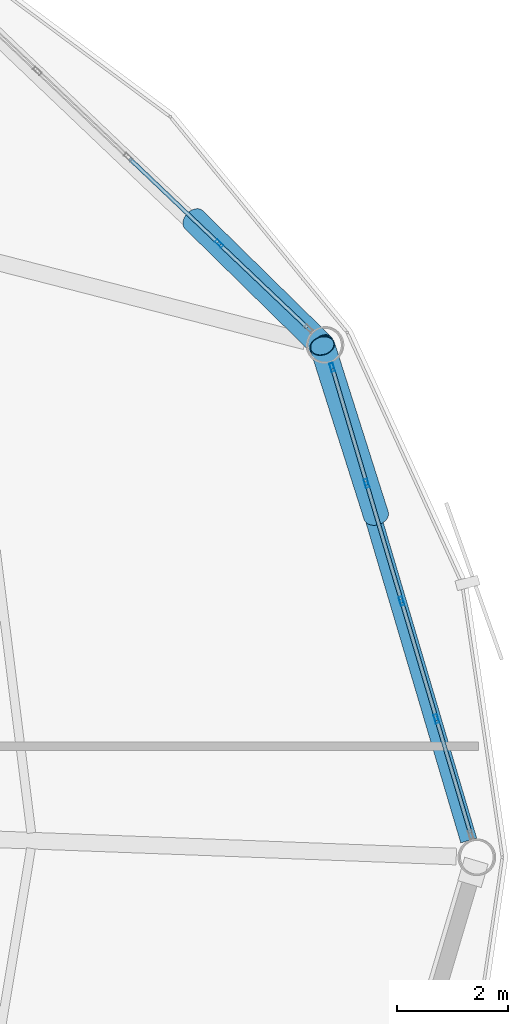
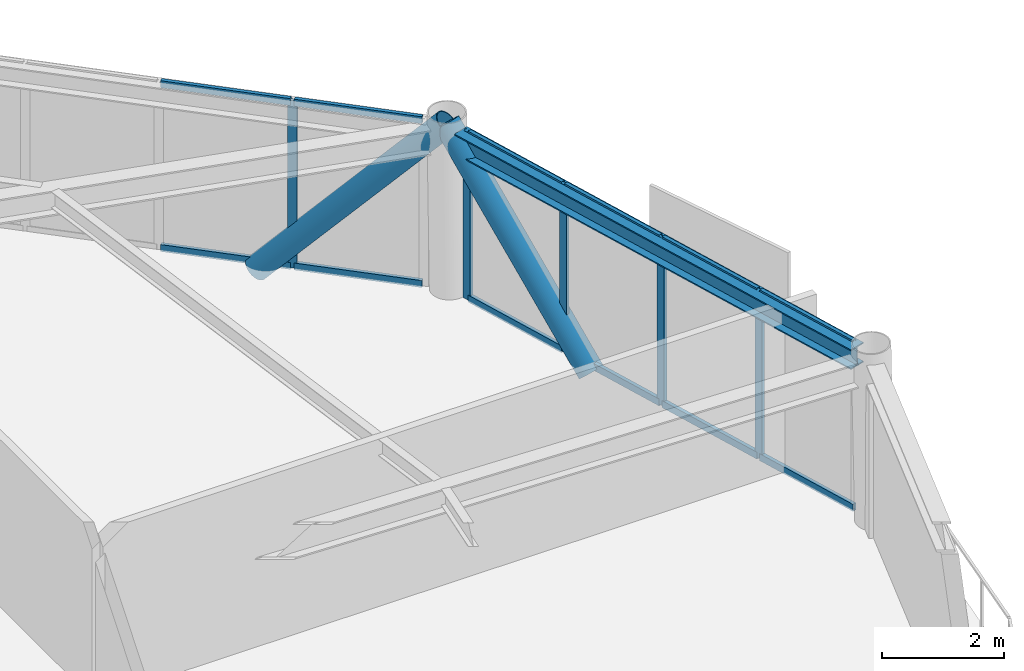
# One storey, part 17 of 29: 19 members, 1 beam, 2 elements without a shape of their own.
"""IFC4 building model written with IfcOpenShell, lengths in metres."""

from ifc_helpers import new_model, si_unit, direction, frame, origin, origin_2d, place, context, subcontext, project, spatial, hollow_rectangle, hollow_circle, i_section, extrude, material, layer, layer_set, material_profile, profile_set, type_object, element, aggregate, save


model = new_model("IFC4")

# Units and contexts
model_context = context("Model", 3, precision=1e-05, world=origin(), true_north=direction((0.0, 1.0)))
body_context = subcontext(model_context, "Body", "Model", "MODEL_VIEW")
ifc_project = project(units=[si_unit("LENGTHUNIT", "METRE"), si_unit("AREAUNIT", "SQUARE_METRE"), si_unit("VOLUMEUNIT", "CUBIC_METRE"), si_unit("PLANEANGLEUNIT", "RADIAN"), si_unit("MASSUNIT", "GRAM", prefix="KILO")], contexts=[model_context])

# Site, building, storey
site_placement = place(None, origin())
site = spatial("IfcSite", under=ifc_project, at=site_placement, CompositionType="ELEMENT")
building_placement = place(site_placement, origin())
building = spatial("IfcBuilding", under=site, at=building_placement, Name="Varnakorn Sky Granary", CompositionType="ELEMENT")
storey_placement = place(building_placement, frame((0.0, 0.0, 189.60009765625)))
storey = spatial("IfcBuildingStorey", under=building, at=storey_placement, Name="L47", CompositionType="ELEMENT", Elevation=189.60009765625)

# Beam
ifc_material_1 = material(Name="Steel S355JR", Category="steel")
ifc_material_profile_1 = material_profile(ifc_material_1, i_section(OverallWidth=0.300048828125, OverallDepth=0.39990234375, WebThickness=0.013427734375, FlangeThickness=0.02392578125, at=origin_2d()), Name="HE 400 B")
ifc_profile_set_1 = profile_set([ifc_material_profile_1], Name="Steel S355JR")
beam_type = type_object("IfcBeamType", Name="BM-SPD-Z4", PredefinedType="SPANDREL", material=ifc_profile_set_1)
beam_placement = place(storey_placement, frame((24.271484375, 0.302001953125, 3.159912109375), z_axis=(-0.28390984566, 0.958850978795, 0.0), x_axis=(-0.958850978795, -0.28390984566, 0.0)))
element("IfcBeam", 1, at=beam_placement, inside=storey, type_object=beam_type, Name="Perimeter Spandrel Ring Beam RB01 L47", PredefinedType="SPANDREL", context=body_context, shape_type="SweptSolid", body=[
    extrude(i_section(OverallWidth=0.300048828125, OverallDepth=0.39990234375, WebThickness=0.013427734375, FlangeThickness=0.02392578125, at=origin_2d()), origin(), (0.0, 0.0, 1.0), 8.98876953125),
])

# Curtain wall, members
ifc_material_2 = material(Name="Anodised Bronze Aluminium Alloy 6063-T6", Category="aluminium")
ifc_layer = layer(ifc_material_2, 0.169921875, Name="Anodised Bronze Aluminium Alloy 6063-T6")
ifc_layer_set = layer_set([ifc_layer], Name="Anodised Bronze Aluminium Alloy 6063-T6")
curtain_wall_type = type_object("IfcCurtainWallType", Name="CW-LAB-1", PredefinedType="USERDEFINED", material=ifc_layer_set)
curtain_wall_1_placement = place(storey_placement, origin())
curtain_wall_1 = element("IfcCurtainWall", 2, at=curtain_wall_1_placement, inside=storey, type_object=curtain_wall_type, Name="Unitised Curtain Wall CW5 CW-L47-B01", ObjectType="CURTAIN WALL", PredefinedType="USERDEFINED")
ifc_material_profile_2 = material_profile(ifc_material_2, hollow_rectangle(XDim=0.06494140625, YDim=0.159912109375, WallThickness=0.00341796875, at=origin_2d()), Name="ALU MULL 65x160")
ifc_profile_set_2 = profile_set([ifc_material_profile_2], Name="Anodised Bronze Aluminium Alloy 6063-T6")
member_type_1 = type_object("IfcMemberType", Name="CW-LAB-1-MULL", PredefinedType="MULLION", material=ifc_profile_set_2)
member_1_placement = place(storey_placement, frame((21.80908203125, 8.8349609375, 0.0), z_axis=(0.0, 0.0, 1.0), x_axis=(0.958736816121, 0.284295123796, 0.0)))
member_1 = element("IfcMember", 3, at=member_1_placement, type_object=member_type_1, Name="CW5 mullion 1", PredefinedType="MULLION", context=body_context, shape_type="SweptSolid", body=[
    extrude(hollow_rectangle(XDim=0.06494140625, YDim=0.159912109375, WallThickness=0.00341796875, at=origin_2d()), origin(), (0.0, 0.0, 1.0), 3.35986328125),
])
member_2_placement = place(storey_placement, frame((22.429443359375, 6.7431640625, 0.0), z_axis=(0.0, 0.0, 1.0), x_axis=(0.958736816121, 0.284295123796, 0.0)))
member_2 = element("IfcMember", 4, at=member_2_placement, type_object=member_type_1, Name="CW5 mullion 2", PredefinedType="MULLION", context=body_context, shape_type="SweptSolid", body=[
    extrude(hollow_rectangle(XDim=0.06494140625, YDim=0.159912109375, WallThickness=0.00341796875, at=origin_2d()), origin(), (0.0, 0.0, 1.0), 3.35986328125),
])
member_3_placement = place(storey_placement, frame((23.05908203125, 4.6201171875, 0.0), z_axis=(0.0, 0.0, 1.0), x_axis=(0.958736816121, 0.284295123796, 0.0)))
member_3 = element("IfcMember", 5, at=member_3_placement, type_object=member_type_1, Name="CW5 mullion 3", PredefinedType="MULLION", context=body_context, shape_type="SweptSolid", body=[
    extrude(hollow_rectangle(XDim=0.06494140625, YDim=0.159912109375, WallThickness=0.00341796875, at=origin_2d()), origin(), (0.0, 0.0, 1.0), 3.35986328125),
])
member_4_placement = place(storey_placement, frame((23.6884765625, 2.4970703125, 0.0), z_axis=(0.0, 0.0, 1.0), x_axis=(0.958736816121, 0.284295123796, 0.0)))
member_4 = element("IfcMember", 6, at=member_4_placement, type_object=member_type_1, Name="CW5 mullion 4", PredefinedType="MULLION", context=body_context, shape_type="SweptSolid", body=[
    extrude(hollow_rectangle(XDim=0.06494140625, YDim=0.159912109375, WallThickness=0.00341796875, at=origin_2d()), origin(), (0.0, 0.0, 1.0), 3.35986328125),
])

# Curtain wall, member
curtain_wall_2_placement = place(storey_placement, origin())
curtain_wall_2 = element("IfcCurtainWall", 7, at=curtain_wall_2_placement, inside=storey, type_object=curtain_wall_type, Name="Unitised Curtain Wall CW5 CW-L47-B02", ObjectType="CURTAIN WALL", PredefinedType="USERDEFINED")
member_5_placement = place(storey_placement, frame((19.768310546875, 11.0654296875, 0.0), z_axis=(0.0, 0.0, 1.0), x_axis=(0.688905297757, 0.724851357674, 0.0)))
member_5 = element("IfcMember", 8, at=member_5_placement, type_object=member_type_1, Name="CW5 mullion 4", PredefinedType="MULLION", context=body_context, shape_type="SweptSolid", body=[
    extrude(hollow_rectangle(XDim=0.06494140625, YDim=0.159912109375, WallThickness=0.00341796875, at=origin_2d()), origin(), (0.0, 0.0, 1.0), 3.35986328125),
])

# Member
ifc_material_profile_3 = material_profile(ifc_material_2, hollow_rectangle(XDim=0.070068359375, YDim=0.139892578125, WallThickness=0.00341796875, at=origin_2d()), Name="ALU TRAN 70x140")
ifc_profile_set_3 = profile_set([ifc_material_profile_3], Name="Anodised Bronze Aluminium Alloy 6063-T6")
member_type_2 = type_object("IfcMemberType", Name="CW-LAB-1-TRAN", PredefinedType="USERDEFINED", material=ifc_profile_set_3)
member_6_placement = place(storey_placement, frame((21.818359375, 8.8037109375, 0.034912109375), z_axis=(0.284288587665, -0.958738754262, 0.0), x_axis=(0.958738754262, 0.284288587665, 0.0)))
member_6 = element("IfcMember", 9, at=member_6_placement, type_object=member_type_2, Name="CW5 transom 1.1", ObjectType="TRANSOM", PredefinedType="USERDEFINED", context=body_context, shape_type="SweptSolid", body=[
    extrude(hollow_rectangle(XDim=0.070068359375, YDim=0.139892578125, WallThickness=0.00341796875, at=origin_2d()), origin(), (0.0, 0.0, 1.0), 2.116943359375),
])

member_7_placement = place(storey_placement, frame((21.818359375, 8.8037109375, 3.324951171875), z_axis=(0.284288587665, -0.958738754262, 0.0), x_axis=(0.958738754262, 0.284288587665, 0.0)))
member_7 = element("IfcMember", 10, at=member_7_placement, type_object=member_type_2, Name="CW5 transom 1.2", ObjectType="TRANSOM", PredefinedType="USERDEFINED", context=body_context, shape_type="SweptSolid", body=[
    extrude(hollow_rectangle(XDim=0.070068359375, YDim=0.139892578125, WallThickness=0.00341796875, at=origin_2d()), origin(), (0.0, 0.0, 1.0), 2.116943359375),
])

member_8_placement = place(storey_placement, frame((22.438720703125, 6.7119140625, 0.034912109375), z_axis=(0.284293284657, -0.958737361481, 0.0), x_axis=(0.958737361481, 0.284293284657, 0.0)))
member_8 = element("IfcMember", 11, at=member_8_placement, type_object=member_type_2, Name="CW5 transom 2.1", ObjectType="TRANSOM", PredefinedType="USERDEFINED", context=body_context, shape_type="SweptSolid", body=[
    extrude(hollow_rectangle(XDim=0.070068359375, YDim=0.139892578125, WallThickness=0.00341796875, at=origin_2d()), origin(), (0.0, 0.0, 1.0), 2.1494140625),
])

member_9_placement = place(storey_placement, frame((22.438720703125, 6.7119140625, 3.324951171875), z_axis=(0.284293284657, -0.958737361481, 0.0), x_axis=(0.958737361481, 0.284293284657, 0.0)))
member_9 = element("IfcMember", 12, at=member_9_placement, type_object=member_type_2, Name="CW5 transom 2.2", ObjectType="TRANSOM", PredefinedType="USERDEFINED", context=body_context, shape_type="SweptSolid", body=[
    extrude(hollow_rectangle(XDim=0.070068359375, YDim=0.139892578125, WallThickness=0.00341796875, at=origin_2d()), origin(), (0.0, 0.0, 1.0), 2.1494140625),
])

member_10_placement = place(storey_placement, frame((23.068359375, 4.5888671875, 0.034912109375), z_axis=(0.284188878505, -0.958768314732, 0.0), x_axis=(0.958768314732, 0.284188878505, 0.0)))
member_10 = element("IfcMember", 13, at=member_10_placement, type_object=member_type_2, Name="CW5 transom 3.1", ObjectType="TRANSOM", PredefinedType="USERDEFINED", context=body_context, shape_type="SweptSolid", body=[
    extrude(hollow_rectangle(XDim=0.070068359375, YDim=0.139892578125, WallThickness=0.00341796875, at=origin_2d()), origin(), (0.0, 0.0, 1.0), 2.1494140625),
])

member_11_placement = place(storey_placement, frame((23.068359375, 4.5888671875, 3.324951171875), z_axis=(0.284188878505, -0.958768314732, 0.0), x_axis=(0.958768314732, 0.284188878505, 0.0)))
member_11 = element("IfcMember", 14, at=member_11_placement, type_object=member_type_2, Name="CW5 transom 3.2", ObjectType="TRANSOM", PredefinedType="USERDEFINED", context=body_context, shape_type="SweptSolid", body=[
    extrude(hollow_rectangle(XDim=0.070068359375, YDim=0.139892578125, WallThickness=0.00341796875, at=origin_2d()), origin(), (0.0, 0.0, 1.0), 2.1494140625),
])

member_12_placement = place(storey_placement, frame((23.69775390625, 2.4658203125, 0.034912109375), z_axis=(0.284288587665, -0.958738754262, 0.0), x_axis=(0.958738754262, 0.284288587665, 0.0)))
member_12 = element("IfcMember", 15, at=member_12_placement, type_object=member_type_2, Name="CW5 transom 4.1", ObjectType="TRANSOM", PredefinedType="USERDEFINED", context=body_context, shape_type="SweptSolid", body=[
    extrude(hollow_rectangle(XDim=0.070068359375, YDim=0.139892578125, WallThickness=0.00341796875, at=origin_2d()), origin(), (0.0, 0.0, 1.0), 2.116943359375),
])

member_13_placement = place(storey_placement, frame((23.69775390625, 2.4658203125, 3.324951171875), z_axis=(0.284288587665, -0.958738754262, 0.0), x_axis=(0.958738754262, 0.284288587665, 0.0)))
member_13 = element("IfcMember", 16, at=member_13_placement, type_object=member_type_2, Name="CW5 transom 4.2", ObjectType="TRANSOM", PredefinedType="USERDEFINED", context=body_context, shape_type="SweptSolid", body=[
    extrude(hollow_rectangle(XDim=0.070068359375, YDim=0.139892578125, WallThickness=0.00341796875, at=origin_2d()), origin(), (0.0, 0.0, 1.0), 2.116943359375),
])

aggregate(curtain_wall_1, [member_1, member_2, member_3, member_4, member_6, member_7, member_8, member_9, member_10, member_11, member_12, member_13])

member_14_placement = place(storey_placement, frame((18.154052734375, 12.599609375, 0.034912109375), z_axis=(0.724843882888, -0.688913162481, 0.0), x_axis=(0.688913162481, 0.724843882888, 0.0)))
member_14 = element("IfcMember", 17, at=member_14_placement, type_object=member_type_2, Name="CW5 transom 3.1", ObjectType="TRANSOM", PredefinedType="USERDEFINED", context=body_context, shape_type="SweptSolid", body=[
    extrude(hollow_rectangle(XDim=0.070068359375, YDim=0.139892578125, WallThickness=0.00341796875, at=origin_2d()), origin(), (0.0, 0.0, 1.0), 2.19482421875),
])

member_15_placement = place(storey_placement, frame((18.154052734375, 12.599609375, 3.324951171875), z_axis=(0.724843882888, -0.688913162481, 0.0), x_axis=(0.688913162481, 0.724843882888, 0.0)))
member_15 = element("IfcMember", 18, at=member_15_placement, type_object=member_type_2, Name="CW5 transom 3.2", ObjectType="TRANSOM", PredefinedType="USERDEFINED", context=body_context, shape_type="SweptSolid", body=[
    extrude(hollow_rectangle(XDim=0.070068359375, YDim=0.139892578125, WallThickness=0.00341796875, at=origin_2d()), origin(), (0.0, 0.0, 1.0), 2.19482421875),
])

member_16_placement = place(storey_placement, frame((19.7919921875, 11.04296875, 0.034912109375), z_axis=(0.72483307441, -0.688924534503, 0.0), x_axis=(0.688924534503, 0.72483307441, 0.0)))
member_16 = element("IfcMember", 19, at=member_16_placement, type_object=member_type_2, Name="CW5 transom 4.1", ObjectType="TRANSOM", PredefinedType="USERDEFINED", context=body_context, shape_type="SweptSolid", body=[
    extrude(hollow_rectangle(XDim=0.070068359375, YDim=0.139892578125, WallThickness=0.00341796875, at=origin_2d()), origin(), (0.0, 0.0, 1.0), 2.162109375),
])

member_17_placement = place(storey_placement, frame((19.7919921875, 11.04296875, 3.324951171875), z_axis=(0.72483307441, -0.688924534503, 0.0), x_axis=(0.688924534503, 0.72483307441, 0.0)))
member_17 = element("IfcMember", 20, at=member_17_placement, type_object=member_type_2, Name="CW5 transom 4.2", ObjectType="TRANSOM", PredefinedType="USERDEFINED", context=body_context, shape_type="SweptSolid", body=[
    extrude(hollow_rectangle(XDim=0.070068359375, YDim=0.139892578125, WallThickness=0.00341796875, at=origin_2d()), origin(), (0.0, 0.0, 1.0), 2.162109375),
])

aggregate(curtain_wall_2, [member_5, member_14, member_15, member_16, member_17])

# Members
ifc_material_3 = material(Name="Steel S460M", Category="steel")
ifc_material_profile_4 = material_profile(ifc_material_3, hollow_circle(Radius=0.228515625, WallThickness=0.01611328125, at=origin_2d()), Name="CHS 457x16")
ifc_profile_set_4 = profile_set([ifc_material_profile_4], Name="Steel S460M")
member_type_3 = type_object("IfcMemberType", Name="MB-DIAG-T3", PredefinedType="BRACE", material=ifc_profile_set_4)
member_18_placement = place(storey_placement, frame((22.602294921875, 6.159912109375, -0.130126953125), z_axis=(-0.204918949168, 0.645633635425, 0.735639472214), x_axis=(-0.953143045262, -0.302519974991, 0.0)))
element("IfcMember", 21, at=member_18_placement, inside=storey, type_object=member_type_3, Name="Perimeter CHS Diagrid Brace DG01 L47", PredefinedType="BRACE", context=body_context, shape_type="SweptSolid", body=[
    extrude(hollow_circle(Radius=0.228515625, WallThickness=0.01611328125, at=origin_2d()), origin(), (0.0, 0.0, 1.0), 4.744140625),
])
member_19_placement = place(storey_placement, frame((19.316650390625, 11.49462890625, -0.130126953125), z_axis=(0.485645722282, -0.476881959248, 0.732619839598), x_axis=(0.700639570856, 0.713515375973, 0.0)))
element("IfcMember", 22, at=member_19_placement, inside=storey, type_object=member_type_3, Name="Perimeter CHS Diagrid Brace DG02 L47", PredefinedType="BRACE", context=body_context, shape_type="SweptSolid", body=[
    extrude(hollow_circle(Radius=0.228515625, WallThickness=0.01611328125, at=origin_2d()), origin(), (0.0, 0.0, 1.0), 4.763671875),
])

save(model, "model.ifc")
